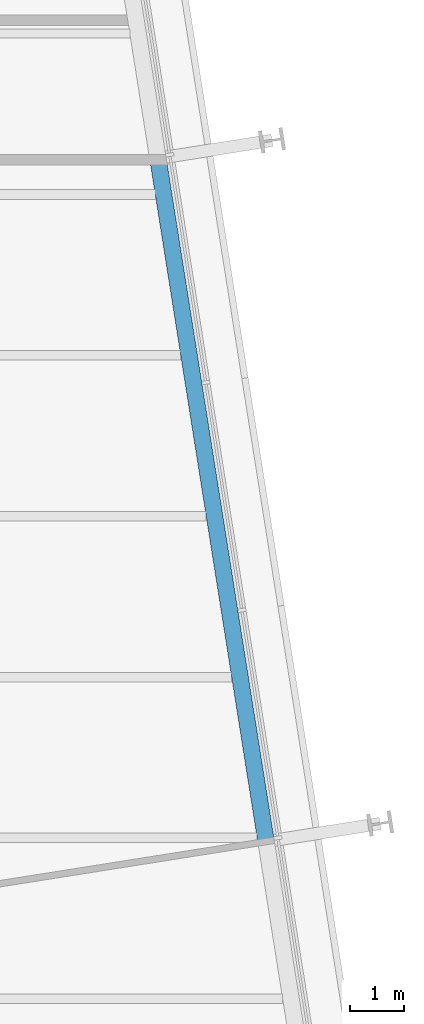
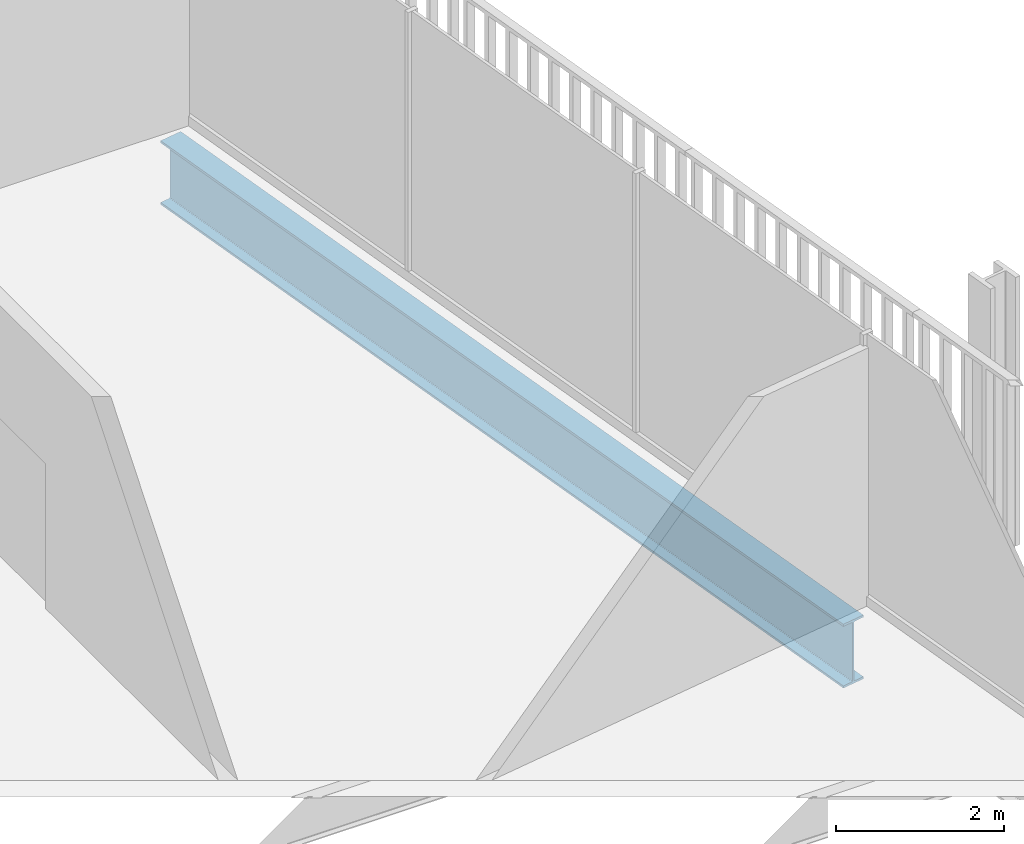
# One storey, part 9 of 21: 1 beam.
"""IFC4 building model written with IfcOpenShell, lengths in metres."""

import ifcopenshell
import ifcopenshell.guid

model = None  # the IFC model being written
_history = None  # IfcOwnerHistory: only IFC2X3 demands one
_inside = {}  # id of a spatial element -> (the spatial element, [elements in it])
_under = {}  # id of a project, library or spatial element -> (it, [spatial elements below it])
_declared = {}  # id of a project -> (the project, [libraries it declares])
_typed = {}  # id of a type object -> (the type object, [elements of that type])
_made_of = {}  # id of a material, layer set ... -> (it, [elements and type objects made of it])


def new_model(schema):
    """Start an empty IFC model of exactly this schema.

    Asked for "IFC4X3", IfcOpenShell would pick the latest addendum, in which some entities
    have other attributes; the version numbers below select the first issue.
    IFC2X3 requires an IfcOwnerHistory on every rooted entity: one is made here for all.
    """
    global model, _history
    if schema == "IFC4X3":
        model = ifcopenshell.file(schema_version=(4, 3, 0, 0))
    else:
        model = ifcopenshell.file(schema=schema)
    _inside.clear()
    _under.clear()
    _declared.clear()
    _typed.clear()
    _made_of.clear()
    _history = None
    if model.schema == "IFC2X3":
        org = make("IfcOrganization", Name="unknown")
        user = make(
            "IfcPersonAndOrganization",
            ThePerson=make("IfcPerson", FamilyName="unknown"),
            TheOrganization=org,
        )
        app = make(
            "IfcApplication",
            ApplicationDeveloper=org,
            Version="unknown",
            ApplicationFullName="unknown",
            ApplicationIdentifier="unknown",
        )
        _history = make(
            "IfcOwnerHistory",
            OwningUser=user,
            OwningApplication=app,
            ChangeAction="ADDED",
            CreationDate=0,
        )
    return model


def make(cls, **values):
    """One entity of the class cls with the attributes given. An attribute that is None is left unset."""
    return model.create_entity(
        cls, **{name: value for name, value in values.items() if value is not None}
    )


def rooted(cls, **values):
    """An entity with a GlobalId (a new one), such as an element, a storey or a relation."""
    return make(cls, GlobalId=ifcopenshell.guid.new(), OwnerHistory=_history, **values)


def si_unit(unit_type, name, prefix=None):
    """IfcSIUnit, for example si_unit("LENGTHUNIT", "METRE", prefix="MILLI")."""
    return make("IfcSIUnit", UnitType=unit_type, Prefix=prefix, Name=name)


def assignment(units):
    """IfcUnitAssignment: the units of a project."""
    return None if units is None else make("IfcUnitAssignment", Units=units)


def point(xyz):
    """IfcCartesianPoint."""
    return None if xyz is None else make("IfcCartesianPoint", Coordinates=xyz)


def direction(xyz):
    """IfcDirection."""
    return None if xyz is None else make("IfcDirection", DirectionRatios=xyz)


def frame(location, z_axis=None, x_axis=None):
    """IfcAxis2Placement3D, a coordinate frame: its origin and axes. An axis left out is left unset."""
    return make(
        "IfcAxis2Placement3D",
        Location=point(location),
        Axis=direction(z_axis),
        RefDirection=direction(x_axis),
    )


def frame_2d(location, x_axis=None):
    """IfcAxis2Placement2D, a coordinate frame in the plane: its origin and x axis."""
    return make(
        "IfcAxis2Placement2D", Location=point(location), RefDirection=direction(x_axis)
    )


def origin():
    """The frame at (0, 0, 0) with its axes left unset."""
    return frame((0.0, 0.0, 0.0))


def origin_2d():
    """The frame at (0, 0) in the plane with its x axis left unset."""
    return frame_2d((0.0, 0.0))


def place(relative_to, where):
    """IfcLocalPlacement: puts the frame where relative to a parent placement (None: the world)."""
    return make(
        "IfcLocalPlacement", PlacementRelTo=relative_to, RelativePlacement=where
    )


def context(
    kind, dimensions, precision=None, world=None, true_north=None, identifier=None
):
    """IfcGeometricRepresentationContext, for example the 3D "Model" context."""
    return make(
        "IfcGeometricRepresentationContext",
        ContextIdentifier=identifier,
        ContextType=kind,
        CoordinateSpaceDimension=dimensions,
        Precision=precision,
        WorldCoordinateSystem=world,
        TrueNorth=true_north,
    )


def subcontext(parent, identifier, kind, view, scale=None):
    """IfcGeometricRepresentationSubContext, for example "Body" below "Model"."""
    return make(
        "IfcGeometricRepresentationSubContext",
        ContextIdentifier=identifier,
        ContextType=kind,
        ParentContext=parent,
        TargetScale=scale,
        TargetView=view,
    )


def project(units=None, contexts=None):
    """IfcProject with its units and contexts."""
    return rooted(
        "IfcProject",
        Name="project",
        RepresentationContexts=contexts,
        UnitsInContext=assignment(units),
    )


def spatial(cls, under=None, at=None, **own):
    """A site, building, storey or space (cls), placed at a placement, below another one or the project."""
    s = rooted(cls, ObjectPlacement=at, **own)
    if under is not None:
        _under.setdefault(under.id(), (under, []))[1].append(s)
    return s


def profile(cls, at=None, kind="AREA", **sizes):
    """A parametric profile (cls). Its sizes go by their IFC names, for example OverallWidth=200.0."""
    return make(cls, ProfileType=kind, Position=at, **sizes)


def i_section(**sizes):
    """IfcIShapeProfileDef."""
    return profile("IfcIShapeProfileDef", **sizes)


def extrude(swept, where, along, depth):
    """IfcExtrudedAreaSolid: the profile swept, set in the frame where, extruded along a direction by depth."""
    return make(
        "IfcExtrudedAreaSolid",
        SweptArea=swept,
        Position=where,
        ExtrudedDirection=direction(along),
        Depth=depth,
    )


def shape(context_of_items, identifier, shape_type, items):
    """IfcShapeRepresentation: the items that make up one representation, for example the "Body"."""
    return make(
        "IfcShapeRepresentation",
        ContextOfItems=context_of_items,
        RepresentationIdentifier=identifier,
        RepresentationType=shape_type,
        Items=items,
    )


def material(Name=None, Category=None):
    """IfcMaterial."""
    return make("IfcMaterial", Name=Name, Category=Category)


def material_profile(
    of_material, cross_section, Name=None, Category=None, Priority=None
):
    """IfcMaterialProfile: a cross section and its material."""
    return make(
        "IfcMaterialProfile",
        Name=Name,
        Material=of_material,
        Profile=cross_section,
        Priority=Priority,
        Category=Category,
    )


def profile_set(profiles, Name=None, composite=None):
    """IfcMaterialProfileSet."""
    return make(
        "IfcMaterialProfileSet",
        Name=Name,
        MaterialProfiles=profiles,
        CompositeProfile=composite,
    )


def made_of(thing, what):
    """Note that an element or type object is made of a material, layer set ...; save() writes the relation."""
    if what is not None:
        _made_of.setdefault(what.id(), (what, []))[1].append(thing)
    return thing


def type_object(cls, material=None, **own):
    """A type object (cls), such as IfcWallType, which elements share."""
    return made_of(rooted(cls, **own), material)


def element(
    cls,
    number,
    at=None,
    inside=None,
    cuts=None,
    type_object=None,
    material=None,
    context=None,
    identifier="Body",
    shape_type=None,
    held_by="IfcProductDefinitionShape",
    body=None,
    shapes=None,
    **own,
):
    """One element of the class cls, such as IfcWall. Its Tag is "e" and its number.

    at: its placement. inside: the storey or other place that contains it. cuts: it is an
    opening in that element (IfcRelVoidsElement). A single representation is given by context,
    identifier, shape_type and body (its items); several are given by shapes. held_by: the class
    of the entity that holds the representations. save() writes the other relations.
    """
    e = rooted(cls, Tag="e%d" % number, ObjectPlacement=at, **own)
    if body is not None:
        shapes = [shape(context, identifier, shape_type, body)]
    if shapes is not None:
        e.Representation = make(held_by, Representations=shapes)
    if inside is not None:
        _inside.setdefault(inside.id(), (inside, []))[1].append(e)
    if cuts is not None:
        rooted(
            "IfcRelVoidsElement", RelatingBuildingElement=cuts, RelatedOpeningElement=e
        )
    if type_object is not None:
        _typed.setdefault(type_object.id(), (type_object, []))[1].append(e)
    return made_of(e, material)


def aggregate(whole, parts):
    """IfcRelAggregates: a whole, such as a stair, and the parts it consists of."""
    return rooted("IfcRelAggregates", RelatingObject=whole, RelatedObjects=parts)


def save(model, path):
    """Write the relations noted so far, then the file.

    IfcRelAggregates (storeys below a building ...), IfcRelContainedInSpatialStructure (elements
    in a storey), IfcRelDefinesByType, IfcRelAssociatesMaterial and IfcRelDeclares: one each for
    every whole, place, type object, material and project.
    """
    for whole, parts in _under.values():
        aggregate(whole, parts)
    for where, things in _inside.values():
        rooted(
            "IfcRelContainedInSpatialStructure",
            RelatedElements=things,
            RelatingStructure=where,
        )
    for kind, things in _typed.values():
        rooted("IfcRelDefinesByType", RelatedObjects=things, RelatingType=kind)
    for what, things in _made_of.values():
        rooted("IfcRelAssociatesMaterial", RelatedObjects=things, RelatingMaterial=what)
    for by, libraries in _declared.values():
        rooted("IfcRelDeclares", RelatingContext=by, RelatedDefinitions=libraries)
    model.write(path)


model = new_model("IFC4")

# Units and contexts
model_context = context("Model", 3, precision=1e-05, world=origin(), true_north=direction((0.0, 1.0)))
body_context = subcontext(model_context, "Body", "Model", "MODEL_VIEW")
ifc_project = project(units=[si_unit("LENGTHUNIT", "METRE"), si_unit("AREAUNIT", "SQUARE_METRE"), si_unit("VOLUMEUNIT", "CUBIC_METRE"), si_unit("PLANEANGLEUNIT", "RADIAN"), si_unit("MASSUNIT", "GRAM", prefix="KILO")], contexts=[model_context])

# Site, building, storey
site_placement = place(None, origin())
site = spatial("IfcSite", under=ifc_project, at=site_placement, CompositionType="ELEMENT")
building_placement = place(site_placement, origin())
building = spatial("IfcBuilding", under=site, at=building_placement, Name="Millrace Tower", CompositionType="ELEMENT")
storey_placement = place(building_placement, frame((0.0, 0.0, 156.800048828125)))
storey = spatial("IfcBuildingStorey", under=building, at=storey_placement, Name="L35", CompositionType="ELEMENT", Elevation=156.800048828125)

# Beam
ifc_material = material(Name="Steel ASTM A992 Grade 50", Category="steel")
ifc_material_profile = material_profile(ifc_material, i_section(OverallWidth=0.307373046875, OverallDepth=0.927001953125, WebThickness=0.01953125, FlangeThickness=0.031982421875, FilletRadius=0.01904296875, at=origin_2d()))
ifc_profile_set = profile_set([ifc_material_profile], Name="Steel ASTM A992 Grade 50")
beam_type = type_object("IfcBeamType", Name="Ring beam medium span W36x194", PredefinedType="SPANDREL", material=ifc_profile_set)
beam_placement = place(storey_placement, frame((23.25, 9.6728515625, -0.62353515625), z_axis=(0.15642030113, -0.987690583834, 0.0), x_axis=(0.987690583834, 0.15642030113, 0.0)))
element("IfcBeam", 1, at=beam_placement, inside=storey, type_object=beam_type, Name="RNG-C-L35-S1-10", PredefinedType="SPANDREL", context=body_context, shape_type="SweptSolid", body=[
    extrude(i_section(OverallWidth=0.307373046875, OverallDepth=0.927001953125, WebThickness=0.01953125, FlangeThickness=0.031982421875, FilletRadius=0.01904296875, at=origin_2d()), origin(), (0.0, 0.0, 1.0), 12.89990234375),
])

save(model, "model.ifc")
